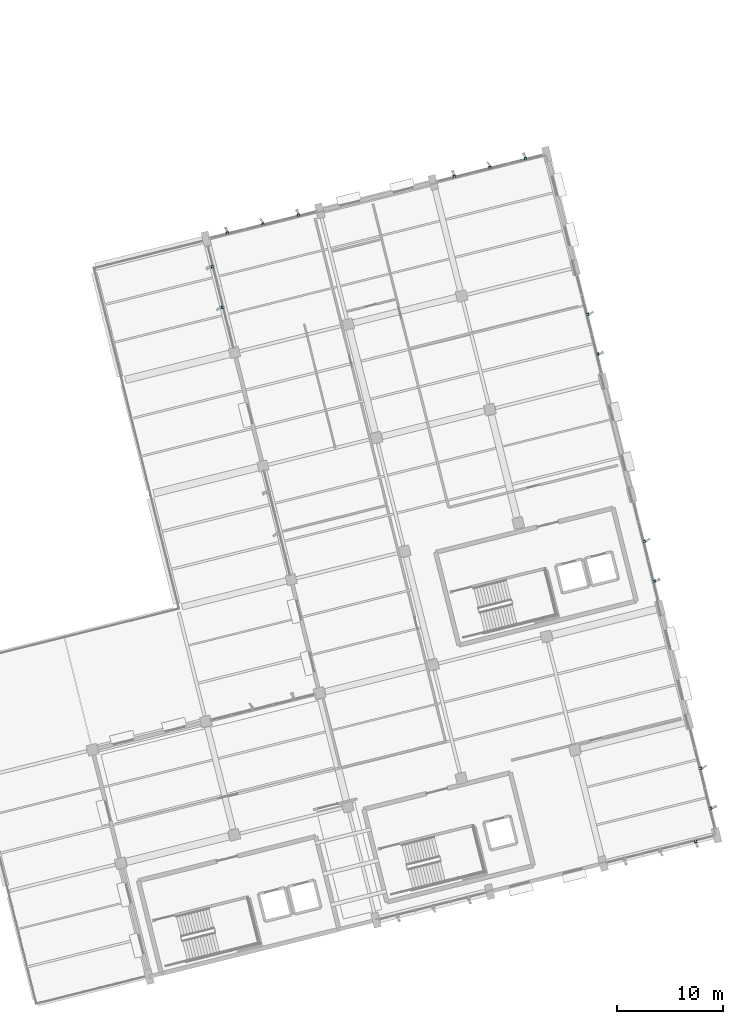
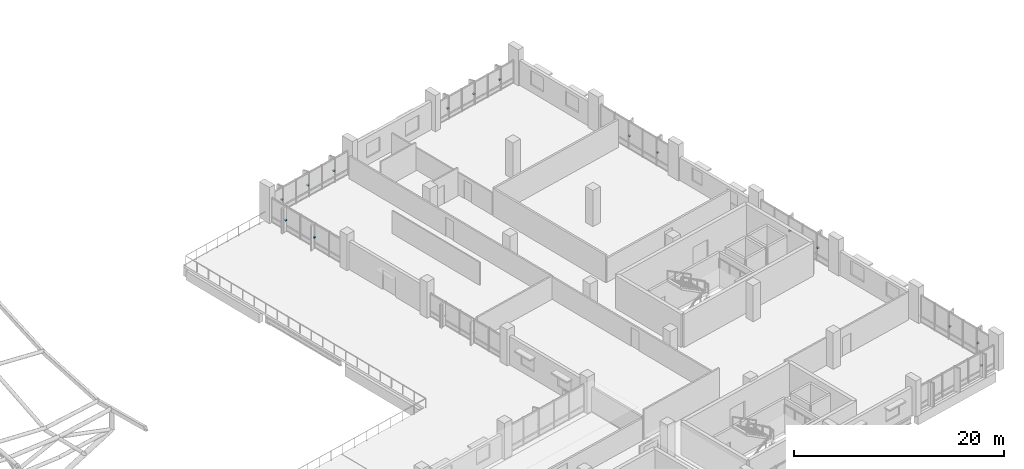
# One storey, part 70 of 75: 15 discrete accessories.
"""IFC4 building model written with IfcOpenShell, lengths in metres."""

import ifcopenshell
import ifcopenshell.guid

model = None  # the IFC model being written
_history = None  # IfcOwnerHistory: only IFC2X3 demands one
_inside = {}  # id of a spatial element -> (the spatial element, [elements in it])
_under = {}  # id of a project, library or spatial element -> (it, [spatial elements below it])
_declared = {}  # id of a project -> (the project, [libraries it declares])
_typed = {}  # id of a type object -> (the type object, [elements of that type])
_made_of = {}  # id of a material, layer set ... -> (it, [elements and type objects made of it])


def new_model(schema):
    """Start an empty IFC model of exactly this schema.

    Asked for "IFC4X3", IfcOpenShell would pick the latest addendum, in which some entities
    have other attributes; the version numbers below select the first issue.
    IFC2X3 requires an IfcOwnerHistory on every rooted entity: one is made here for all.
    """
    global model, _history
    if schema == "IFC4X3":
        model = ifcopenshell.file(schema_version=(4, 3, 0, 0))
    else:
        model = ifcopenshell.file(schema=schema)
    _inside.clear()
    _under.clear()
    _declared.clear()
    _typed.clear()
    _made_of.clear()
    _history = None
    if model.schema == "IFC2X3":
        org = make("IfcOrganization", Name="unknown")
        user = make(
            "IfcPersonAndOrganization",
            ThePerson=make("IfcPerson", FamilyName="unknown"),
            TheOrganization=org,
        )
        app = make(
            "IfcApplication",
            ApplicationDeveloper=org,
            Version="unknown",
            ApplicationFullName="unknown",
            ApplicationIdentifier="unknown",
        )
        _history = make(
            "IfcOwnerHistory",
            OwningUser=user,
            OwningApplication=app,
            ChangeAction="ADDED",
            CreationDate=0,
        )
    return model


def make(cls, **values):
    """One entity of the class cls with the attributes given. An attribute that is None is left unset."""
    return model.create_entity(
        cls, **{name: value for name, value in values.items() if value is not None}
    )


def rooted(cls, **values):
    """An entity with a GlobalId (a new one), such as an element, a storey or a relation."""
    return make(cls, GlobalId=ifcopenshell.guid.new(), OwnerHistory=_history, **values)


def si_unit(unit_type, name, prefix=None):
    """IfcSIUnit, for example si_unit("LENGTHUNIT", "METRE", prefix="MILLI")."""
    return make("IfcSIUnit", UnitType=unit_type, Prefix=prefix, Name=name)


def assignment(units):
    """IfcUnitAssignment: the units of a project."""
    return None if units is None else make("IfcUnitAssignment", Units=units)


def point(xyz):
    """IfcCartesianPoint."""
    return None if xyz is None else make("IfcCartesianPoint", Coordinates=xyz)


def direction(xyz):
    """IfcDirection."""
    return None if xyz is None else make("IfcDirection", DirectionRatios=xyz)


def frame(location, z_axis=None, x_axis=None):
    """IfcAxis2Placement3D, a coordinate frame: its origin and axes. An axis left out is left unset."""
    return make(
        "IfcAxis2Placement3D",
        Location=point(location),
        Axis=direction(z_axis),
        RefDirection=direction(x_axis),
    )


def frame_2d(location, x_axis=None):
    """IfcAxis2Placement2D, a coordinate frame in the plane: its origin and x axis."""
    return make(
        "IfcAxis2Placement2D", Location=point(location), RefDirection=direction(x_axis)
    )


def origin():
    """The frame at (0, 0, 0) with its axes left unset."""
    return frame((0.0, 0.0, 0.0))


def origin_2d():
    """The frame at (0, 0) in the plane with its x axis left unset."""
    return frame_2d((0.0, 0.0))


def place(relative_to, where):
    """IfcLocalPlacement: puts the frame where relative to a parent placement (None: the world)."""
    return make(
        "IfcLocalPlacement", PlacementRelTo=relative_to, RelativePlacement=where
    )


def context(
    kind, dimensions, precision=None, world=None, true_north=None, identifier=None
):
    """IfcGeometricRepresentationContext, for example the 3D "Model" context."""
    return make(
        "IfcGeometricRepresentationContext",
        ContextIdentifier=identifier,
        ContextType=kind,
        CoordinateSpaceDimension=dimensions,
        Precision=precision,
        WorldCoordinateSystem=world,
        TrueNorth=true_north,
    )


def subcontext(parent, identifier, kind, view, scale=None):
    """IfcGeometricRepresentationSubContext, for example "Body" below "Model"."""
    return make(
        "IfcGeometricRepresentationSubContext",
        ContextIdentifier=identifier,
        ContextType=kind,
        ParentContext=parent,
        TargetScale=scale,
        TargetView=view,
    )


def project(units=None, contexts=None):
    """IfcProject with its units and contexts."""
    return rooted(
        "IfcProject",
        Name="project",
        RepresentationContexts=contexts,
        UnitsInContext=assignment(units),
    )


def spatial(cls, under=None, at=None, **own):
    """A site, building, storey or space (cls), placed at a placement, below another one or the project."""
    s = rooted(cls, ObjectPlacement=at, **own)
    if under is not None:
        _under.setdefault(under.id(), (under, []))[1].append(s)
    return s


def profile(cls, at=None, kind="AREA", **sizes):
    """A parametric profile (cls). Its sizes go by their IFC names, for example OverallWidth=200.0."""
    return make(cls, ProfileType=kind, Position=at, **sizes)


def rectangle(**sizes):
    """IfcRectangleProfileDef."""
    return profile("IfcRectangleProfileDef", **sizes)


def extrude(swept, where, along, depth):
    """IfcExtrudedAreaSolid: the profile swept, set in the frame where, extruded along a direction by depth."""
    return make(
        "IfcExtrudedAreaSolid",
        SweptArea=swept,
        Position=where,
        ExtrudedDirection=direction(along),
        Depth=depth,
    )


def shape(context_of_items, identifier, shape_type, items):
    """IfcShapeRepresentation: the items that make up one representation, for example the "Body"."""
    return make(
        "IfcShapeRepresentation",
        ContextOfItems=context_of_items,
        RepresentationIdentifier=identifier,
        RepresentationType=shape_type,
        Items=items,
    )


def material(Name=None, Category=None):
    """IfcMaterial."""
    return make("IfcMaterial", Name=Name, Category=Category)


def made_of(thing, what):
    """Note that an element or type object is made of a material, layer set ...; save() writes the relation."""
    if what is not None:
        _made_of.setdefault(what.id(), (what, []))[1].append(thing)
    return thing


def type_object(cls, material=None, **own):
    """A type object (cls), such as IfcWallType, which elements share."""
    return made_of(rooted(cls, **own), material)


def element(
    cls,
    number,
    at=None,
    inside=None,
    cuts=None,
    type_object=None,
    material=None,
    context=None,
    identifier="Body",
    shape_type=None,
    held_by="IfcProductDefinitionShape",
    body=None,
    shapes=None,
    **own,
):
    """One element of the class cls, such as IfcWall. Its Tag is "e" and its number.

    at: its placement. inside: the storey or other place that contains it. cuts: it is an
    opening in that element (IfcRelVoidsElement). A single representation is given by context,
    identifier, shape_type and body (its items); several are given by shapes. held_by: the class
    of the entity that holds the representations. save() writes the other relations.
    """
    e = rooted(cls, Tag="e%d" % number, ObjectPlacement=at, **own)
    if body is not None:
        shapes = [shape(context, identifier, shape_type, body)]
    if shapes is not None:
        e.Representation = make(held_by, Representations=shapes)
    if inside is not None:
        _inside.setdefault(inside.id(), (inside, []))[1].append(e)
    if cuts is not None:
        rooted(
            "IfcRelVoidsElement", RelatingBuildingElement=cuts, RelatedOpeningElement=e
        )
    if type_object is not None:
        _typed.setdefault(type_object.id(), (type_object, []))[1].append(e)
    return made_of(e, material)


def aggregate(whole, parts):
    """IfcRelAggregates: a whole, such as a stair, and the parts it consists of."""
    return rooted("IfcRelAggregates", RelatingObject=whole, RelatedObjects=parts)


def save(model, path):
    """Write the relations noted so far, then the file.

    IfcRelAggregates (storeys below a building ...), IfcRelContainedInSpatialStructure (elements
    in a storey), IfcRelDefinesByType, IfcRelAssociatesMaterial and IfcRelDeclares: one each for
    every whole, place, type object, material and project.
    """
    for whole, parts in _under.values():
        aggregate(whole, parts)
    for where, things in _inside.values():
        rooted(
            "IfcRelContainedInSpatialStructure",
            RelatedElements=things,
            RelatingStructure=where,
        )
    for kind, things in _typed.values():
        rooted("IfcRelDefinesByType", RelatedObjects=things, RelatingType=kind)
    for what, things in _made_of.values():
        rooted("IfcRelAssociatesMaterial", RelatedObjects=things, RelatingMaterial=what)
    for by, libraries in _declared.values():
        rooted("IfcRelDeclares", RelatingContext=by, RelatedDefinitions=libraries)
    model.write(path)


model = new_model("IFC4")

# Units and contexts
model_context = context("Model", 3, precision=1e-05, world=origin(), true_north=direction((0.0, 1.0)))
body_context = subcontext(model_context, "Body", "Model", "MODEL_VIEW")
ifc_project = project(units=[si_unit("LENGTHUNIT", "METRE"), si_unit("AREAUNIT", "SQUARE_METRE"), si_unit("VOLUMEUNIT", "CUBIC_METRE"), si_unit("PLANEANGLEUNIT", "RADIAN"), si_unit("MASSUNIT", "GRAM", prefix="KILO")], contexts=[model_context])

# Site, building, storey
site_placement = place(None, origin())
site = spatial("IfcSite", under=ifc_project, at=site_placement, CompositionType="ELEMENT")
building_placement = place(site_placement, origin())
building = spatial("IfcBuilding", under=site, at=building_placement, Name="Khorjan Park Terminus", CompositionType="ELEMENT")
storey_placement = place(building_placement, frame((0.0, 0.0, 16.2)))
storey = spatial("IfcBuildingStorey", under=building, at=storey_placement, Name="L03", CompositionType="ELEMENT", Elevation=16.2)

# Discrete accessories
ifc_material = material(Name="Steel S355", Category="steel")
discrete_accessory_type = type_object("IfcDiscreteAccessoryType", Name="ACC-BRK-FIN", PredefinedType="BRACKET", material=ifc_material)
for number, where, z_axis, x_axis, name in (
    (1, (228.0694, 17.3829, 1.1607), (0.0, 0.0, 1.0), (0.970296464407, 0.241918935098, 0.0), "Solar fin structural bracket BK-01 (CW-V5-S-L03-B05-5)"),
    (2, (229.4959, 20.5192, 1.3678), (0.0, 0.0, 1.0), (-0.241920488516, 0.9702960771, 0.0), "Solar fin structural bracket BK-01 (CW-V5-E-L03-B01-1)"),
    (3, (228.563, 24.2607, 1.3678), (0.0, 0.0, 1.0), (-0.241920488516, 0.9702960771, 0.0), "Solar fin structural bracket BK-01 (CW-V5-E-L03-B01-3)"),
    (4, (224.1736, 41.8656, 1.3857), (0.0, 0.0, 1.0), (-0.241922975976, 0.970295456907, 0.0), "Solar fin structural bracket BK-01 (CW-V5-E-L03-B03-1)"),
    (5, (223.2407, 45.6073, 1.3857), (0.0, 0.0, 1.0), (-0.241922975976, 0.970295456907, 0.0), "Solar fin structural bracket BK-01 (CW-V5-E-L03-B03-3)"),
    (6, (218.8514, 63.2123, 1.3903), (0.0, 0.0, 1.0), (-0.241935125171, 0.970292427678, 0.0), "Solar fin structural bracket BK-01 (CW-V5-E-L03-B05-1)"),
    (7, (217.9185, 66.9536, 1.3903), (0.0, 0.0, 1.0), (-0.241935125171, 0.970292427678, 0.0), "Solar fin structural bracket BK-01 (CW-V5-E-L03-B05-3)"),
    (8, (212.0587, 81.5969, 1.1292), (0.0, 0.0, 1.0), (-0.970294194364, -0.241928039679, 0.0), "Solar fin structural bracket BK-01 (CW-V5-N-L03-B01-1)"),
    (9, (208.7142, 80.763, 1.1292), (0.0, 0.0, 1.0), (-0.970294194364, -0.241928039679, 0.0), "Solar fin structural bracket BK-01 (CW-V5-N-L03-B01-3)"),
    (10, (205.3696, 79.9291, 1.1292), (0.0, 0.0, 1.0), (-0.970294194364, -0.241928039679, 0.0), "Solar fin structural bracket BK-01 (CW-V5-N-L03-B01-5)"),
    (11, (190.7119, 76.2746, 1.1968), (0.0, 0.0, 1.0), (-0.970295910648, -0.241921156122, 0.0), "Solar fin structural bracket BK-01 (CW-V5-N-L03-B03-1)"),
    (12, (187.3677, 75.4408, 1.1968), (0.0, 0.0, 1.0), (-0.970295910648, -0.241921156122, 0.0), "Solar fin structural bracket BK-01 (CW-V5-N-L03-B03-3)"),
    (13, (184.0235, 74.607, 1.1968), (0.0, 0.0, 1.0), (-0.970295910648, -0.241921156122, 0.0), "Solar fin structural bracket BK-01 (CW-V5-N-L03-B03-5)"),
    (14, (182.6074, 71.4271, 1.2192), (0.0, 0.0, 1.0), (0.241922578481, -0.970295556014, 0.0), "Solar fin structural bracket BK-01 (CW-V5-NW1-L03-B01-1)"),
    (15, (183.562, 67.5984, 1.2192), (0.0, 0.0, 1.0), (0.241922578481, -0.970295556014, 0.0), "Solar fin structural bracket BK-01 (CW-V5-NW1-L03-B01-3)"),
):
    element("IfcDiscreteAccessory", number, at=place(storey_placement, frame(where, z_axis=z_axis, x_axis=x_axis)), inside=storey, type_object=discrete_accessory_type, Name=name, PredefinedType="BRACKET", context=body_context, shape_type="SweptSolid", body=[
        extrude(rectangle(XDim=0.22, YDim=0.22, at=origin_2d()), origin(), (0.0, 0.0, 1.0), 0.14),
    ])

save(model, "model.ifc")
